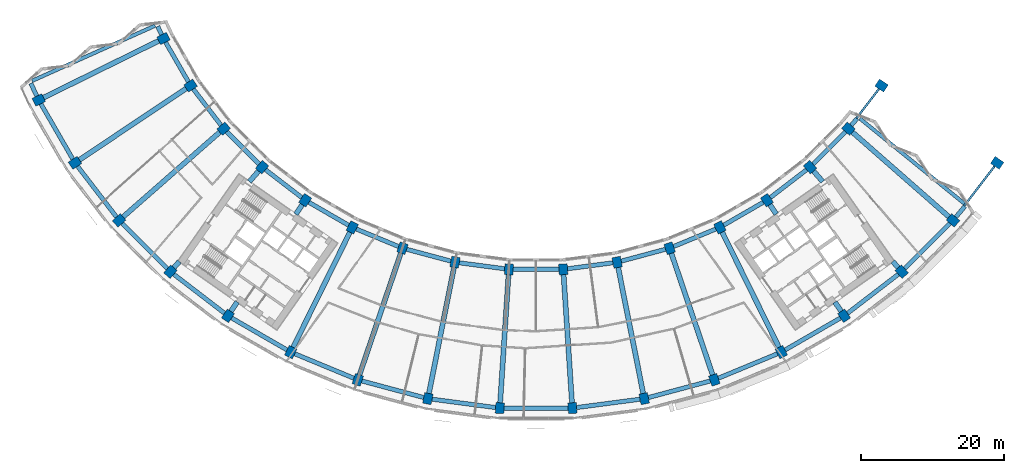
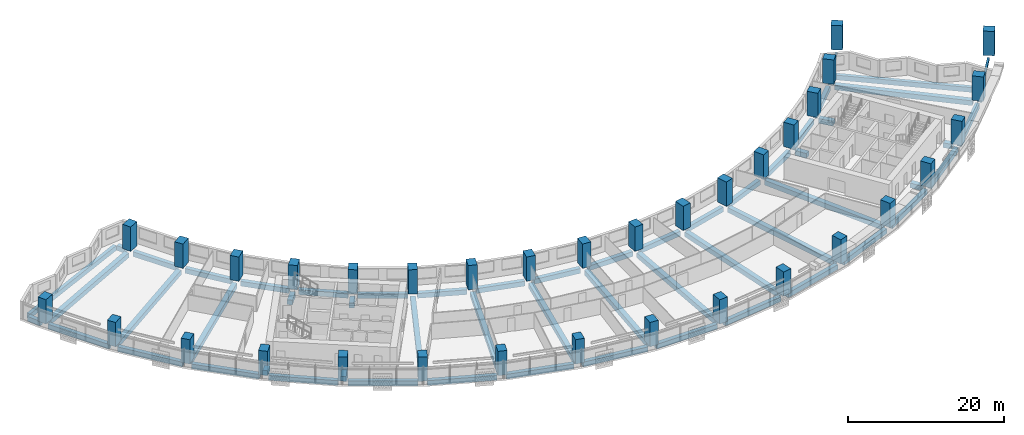
# One storey, part 1 of 29: 56 beams, 34 columns, 2 members.
"""IFC4 building model written with IfcOpenShell, lengths in metres."""

from ifc_helpers import new_model, si_unit, direction, frame, origin, origin_2d, place, context, subcontext, project, spatial, rectangle, hollow_rectangle, extrude, material, material_profile, profile_set, type_object, element, save


model = new_model("IFC4")

# Units and contexts
model_context = context("Model", 3, precision=1e-05, world=origin(), true_north=direction((0.0, 1.0)))
body_context = subcontext(model_context, "Body", "Model", "MODEL_VIEW")
ifc_project = project(units=[si_unit("LENGTHUNIT", "METRE"), si_unit("AREAUNIT", "SQUARE_METRE"), si_unit("VOLUMEUNIT", "CUBIC_METRE"), si_unit("PLANEANGLEUNIT", "RADIAN"), si_unit("MASSUNIT", "GRAM", prefix="KILO")], contexts=[model_context])

# Site, building, storey
site_placement = place(None, origin())
site = spatial("IfcSite", under=ifc_project, at=site_placement, CompositionType="ELEMENT")
building_placement = place(site_placement, origin())
building = spatial("IfcBuilding", under=site, at=building_placement, Name="Qamariyya Broadcast Tower", CompositionType="ELEMENT")
storey_placement = place(building_placement, frame((0.0, 0.0, 121.5)))
storey = spatial("IfcBuildingStorey", under=building, at=storey_placement, Name="L27", CompositionType="ELEMENT", Elevation=121.5)

# Columns
ifc_material_1 = material(Name="Concrete C70/85", Category="concrete")
ifc_material_profile_1 = material_profile(ifc_material_1, rectangle(XDim=1.199951171875, YDim=1.5, at=origin_2d()))
ifc_profile_set_1 = profile_set([ifc_material_profile_1], Name="Concrete C70/85")
column_type = type_object("IfcColumnType", Name="RC column 1200 x 1500 C70/85", PredefinedType="COLUMN", material=ifc_profile_set_1)
for number, where, z_axis, x_axis, name in (
    (1, (-52.242919921875, -25.763427734375, 0.0), (0.0, 0.0, 1.0), (0.442288690219, -0.896872741533, 0.0), "Column C7 L27 B-R02"),
    (2, (-69.73193359375, -34.387939453125, 0.0), (0.0, 0.0, 1.0), (0.442288690219, -0.896872741533, 0.0), "Column C7 L27 C-R02"),
    (3, (-48.43310546875, -32.362060546875, 0.0), (0.0, 0.0, 1.0), (0.55557023302, -0.831469612303, 0.0), "Column C7 L27 B-R03"),
    (4, (-64.646728515625, -43.195556640625, 0.0), (0.0, 0.0, 1.0), (0.55557023302, -0.831469612303, 0.0), "Column C7 L27 C-R03"),
    (5, (-43.794677734375, -38.406982421875, 0.0), (0.0, 0.0, 1.0), (0.6593458151, -0.751839807479, 0.0), "Column C7 L27 B-R04"),
    (6, (-58.45556640625, -51.26416015625, 0.0), (0.0, 0.0, 1.0), (0.6593458151, -0.751839807479, 0.0), "Column C7 L27 C-R04"),
    (7, (-38.406982421875, -43.794677734375, 0.0), (0.0, 0.0, 1.0), (0.751839807479, -0.6593458151, 0.0), "Column C7 L27 B-R05"),
    (8, (-51.26416015625, -58.45556640625, 0.0), (0.0, 0.0, 1.0), (0.751839807479, -0.6593458151, 0.0), "Column C7 L27 C-R05"),
    (9, (-32.362060546875, -48.43310546875, 0.0), (0.0, 0.0, 1.0), (0.831469612303, -0.55557023302, 0.0), "Column C7 L27 B-R06"),
    (10, (-43.195556640625, -64.646728515625, 0.0), (0.0, 0.0, 1.0), (0.831469612303, -0.55557023302, 0.0), "Column C7 L27 C-R06"),
    (11, (-25.763427734375, -52.242919921875, 0.0), (0.0, 0.0, 1.0), (0.896872741533, -0.442288690219, 0.0), "Column C7 L27 B-R07"),
    (12, (-34.387939453125, -69.73193359375, 0.0), (0.0, 0.0, 1.0), (0.896872741533, -0.442288690219, 0.0), "Column C7 L27 C-R07"),
    (13, (-18.723876953125, -55.15869140625, 0.0), (0.0, 0.0, 1.0), (0.946930129495, -0.321439465303, 0.0), "Column C7 L27 B-R08"),
    (14, (-24.991943359375, -73.623779296875, 0.0), (0.0, 0.0, 1.0), (0.946930129495, -0.321439465303, 0.0), "Column C7 L27 C-R08"),
    (15, (-11.364013671875, -57.130859375, 0.0), (0.0, 0.0, 1.0), (0.980785280403, -0.195090322016, 0.0), "Column C7 L27 B-R09"),
    (16, (-15.168212890625, -76.256103515625, 0.0), (0.0, 0.0, 1.0), (0.980785280403, -0.195090322016, 0.0), "Column C7 L27 C-R09"),
    (17, (-3.809814453125, -58.125244140625, 0.0), (0.0, 0.0, 1.0), (0.997858923239, -0.06540312923, 0.0), "Column C7 L27 B-R10"),
    (18, (-5.085205078125, -77.58349609375, 0.0), (0.0, 0.0, 1.0), (0.997858923239, -0.06540312923, 0.0), "Column C7 L27 C-R10"),
    (19, (3.809814453125, -58.125244140625, 0.0), (0.0, 0.0, 1.0), (0.997858923239, 0.06540312923, 0.0), "Column C7 L27 B-R11"),
    (20, (5.085205078125, -77.58349609375, 0.0), (0.0, 0.0, 1.0), (0.997858923239, 0.06540312923, 0.0), "Column C7 L27 C-R11"),
    (21, (11.364013671875, -57.130859375, 0.0), (0.0, 0.0, 1.0), (0.980785280403, 0.195090322016, 0.0), "Column C7 L27 B-R12"),
    (22, (15.168212890625, -76.256103515625, 0.0), (0.0, 0.0, 1.0), (0.980785280403, 0.195090322016, 0.0), "Column C7 L27 C-R12"),
    (23, (18.723876953125, -55.15869140625, 0.0), (0.0, 0.0, 1.0), (0.946930129495, 0.321439465303, 0.0), "Column C7 L27 B-R13"),
    (24, (24.991943359375, -73.623779296875, 0.0), (0.0, 0.0, 1.0), (0.946930129495, 0.321439465303, 0.0), "Column C7 L27 C-R13"),
    (25, (25.763427734375, -52.242919921875, 0.0), (0.0, 0.0, 1.0), (0.896872741533, 0.442288690219, 0.0), "Column C7 L27 B-R14"),
    (26, (34.387939453125, -69.73193359375, 0.0), (0.0, 0.0, 1.0), (0.896872741533, 0.442288690219, 0.0), "Column C7 L27 C-R14"),
    (27, (32.362060546875, -48.43310546875, 0.0), (0.0, 0.0, 1.0), (0.831469612303, 0.55557023302, 0.0), "Column C7 L27 B-R15"),
    (28, (43.195556640625, -64.646728515625, 0.0), (0.0, 0.0, 1.0), (0.831469612303, 0.55557023302, 0.0), "Column C7 L27 C-R15"),
    (29, (38.406982421875, -43.794677734375, 0.0), (0.0, 0.0, 1.0), (0.751839807479, 0.6593458151, 0.0), "Column C7 L27 B-R16"),
    (30, (51.26416015625, -58.45556640625, 0.0), (0.0, 0.0, 1.0), (0.751839807479, 0.6593458151, 0.0), "Column C7 L27 C-R16"),
    (31, (43.794677734375, -38.406982421875, 0.0), (0.0, 0.0, 1.0), (0.6593458151, 0.751839807479, 0.0), "Column C7 L27 B-R17"),
    (32, (58.45556640625, -51.26416015625, 0.0), (0.0, 0.0, 1.0), (0.6593458151, 0.751839807479, 0.0), "Column C7 L27 C-R17"),
    (33, (48.43310546875, -32.362060546875, 0.0), (0.0, 0.0, 1.0), (0.55557023302, 0.831469612303, 0.0), "Column C7 L27 B-R18"),
    (34, (64.646728515625, -43.195556640625, 0.0), (0.0, 0.0, 1.0), (0.55557023302, 0.831469612303, 0.0), "Column C7 L27 C-R18"),
):
    element("IfcColumn", number, at=place(storey_placement, frame(where, z_axis=z_axis, x_axis=x_axis)), inside=storey, type_object=column_type, Name=name, PredefinedType="COLUMN", context=body_context, shape_type="SweptSolid", body=[
        extrude(rectangle(XDim=1.199951171875, YDim=1.5, at=origin_2d()), origin(), (0.0, 0.0, 1.0), 3.800048828125),
    ])

# Members
ifc_material_2 = material(Name="Steel S355", Category="steel")
ifc_material_profile_2 = material_profile(ifc_material_2, hollow_rectangle(XDim=0.300048828125, YDim=0.300048828125, WallThickness=0.012451171875, InnerFilletRadius=0.012451171875, OuterFilletRadius=0.02490234375, at=origin_2d()))
ifc_profile_set_2 = profile_set([ifc_material_profile_2], Name="Steel S355")
member_type = type_object("IfcMemberType", Name="Pylon tie RHS 300x300x12.5", PredefinedType="STRUT", material=ifc_profile_set_2)
member_1_placement = place(storey_placement, frame((44.16064453125, -37.929931640625, -0.449951171875), z_axis=(0.608778135192, 0.793340520906, 0.0), x_axis=(-0.793340520906, 0.608778135192, 0.0)))
element("IfcMember", 35, at=member_1_placement, inside=storey, type_object=member_type, Name="Pylon tie T1 L27 B-R18", PredefinedType="STRUT", context=body_context, shape_type="SweptSolid", body=[
    extrude(hollow_rectangle(XDim=0.300048828125, YDim=0.300048828125, WallThickness=0.012451171875, InnerFilletRadius=0.012451171875, OuterFilletRadius=0.02490234375, at=origin_2d()), origin(), (0.0, 0.0, 1.0), 6.4169921875),
])
member_2_placement = place(storey_placement, frame((58.821533203125, -50.787109375, -0.449951171875), z_axis=(0.608766985019, 0.793349076984, 0.0), x_axis=(-0.793349076984, 0.608766985019, 0.0)))
element("IfcMember", 36, at=member_2_placement, inside=storey, type_object=member_type, Name="Pylon tie T1 L27 C-R18", PredefinedType="STRUT", context=body_context, shape_type="SweptSolid", body=[
    extrude(hollow_rectangle(XDim=0.300048828125, YDim=0.300048828125, WallThickness=0.012451171875, InnerFilletRadius=0.012451171875, OuterFilletRadius=0.02490234375, at=origin_2d()), origin(), (0.0, 0.0, 1.0), 8.9677734375),
])

# Beams
ifc_material_3 = material(Name="Concrete C50/60", Category="concrete")
ifc_material_profile_3 = material_profile(ifc_material_3, rectangle(XDim=0.60009765625, YDim=0.75, at=origin_2d()))
ifc_profile_set_3 = profile_set([ifc_material_profile_3], Name="Concrete C50/60")
beam_type_1 = type_object("IfcBeamType", Name="RC edge beam 600 x 750 C50/60", PredefinedType="SPANDREL", material=ifc_profile_set_3)
for number, where, z_axis, x_axis, name in (
    (37, (-51.942138671875, -26.283935546875, -0.675048828125), (0.49999360328, -0.866029096901, 0.0), (0.866029096901, 0.49999360328, 0.0), "Edge beam B15 L27 B R02-R03"),
    (38, (-48.067138671875, -32.839111328125, -0.675048828125), (0.608778135192, -0.793340520906, 0.0), (0.793340520906, 0.608778135192, 0.0), "Edge beam B15 L27 B R03-R04"),
):
    element("IfcBeam", number, at=place(storey_placement, frame(where, z_axis=z_axis, x_axis=x_axis)), inside=storey, type_object=beam_type_1, Name=name, PredefinedType="SPANDREL", context=body_context, shape_type="SweptSolid", body=[
        extrude(rectangle(XDim=0.60009765625, YDim=0.75, at=origin_2d()), origin(), (0.0, 0.0, 1.0), 6.4169921875),
    ])
beam_1_placement = place(storey_placement, frame((-43.369384765625, -38.83203125, -0.675048828125), z_axis=(0.707106781187, -0.707106781187, 0.0), x_axis=(0.707106781187, 0.707106781187, 0.0)))
element("IfcBeam", 39, at=beam_1_placement, inside=storey, type_object=beam_type_1, Name="Edge beam B15 L27 B R04-R05", PredefinedType="SPANDREL", context=body_context, shape_type="SweptSolid", body=[
    extrude(rectangle(XDim=0.60009765625, YDim=0.75, at=origin_2d()), origin(), (0.0, 0.0, 1.0), 6.416748046875),
])
for number, where, z_axis, x_axis, name in (
    (40, (-37.929931640625, -44.16064453125, -0.675048828125), (0.793340520906, -0.608778135192, 0.0), (0.608778135192, 0.793340520906, 0.0), "Edge beam B15 L27 B R05-R06"),
    (41, (-31.84130859375, -48.733642578125, -0.675048828125), (0.866029096901, -0.49999360328, 0.0), (0.49999360328, 0.866029096901, 0.0), "Edge beam B15 L27 B R06-R07"),
    (42, (-25.207763671875, -52.472900390625, -0.675048828125), (0.923884212686, -0.382672133229, 0.0), (0.382672133229, 0.923884212686, 0.0), "Edge beam B15 L27 B R07-R08"),
    (43, (-18.14306640625, -55.314208984375, -0.675048828125), (0.965922916603, -0.258829903956, 0.0), (0.258829903956, 0.965922916603, 0.0), "Edge beam B15 L27 B R08-R09"),
    (44, (-10.767822265625, -57.209228515625, -0.675048828125), (0.991443543958, -0.1305361986, 0.0), (0.1305361986, 0.991443543958, 0.0), "Edge beam B15 L27 B R09-R10"),
    (45, (-3.20849609375, -58.125244140625, -0.675048828125), (1.0, 0.0, 0.0), (0.0, 1.0, 0.0), "Edge beam B15 L27 B R10-R11"),
    (46, (4.40576171875, -58.046875, -0.675048828125), (0.991443543958, 0.1305361986, 0.0), (-0.1305361986, 0.991443543958, 0.0), "Edge beam B15 L27 B R11-R12"),
    (47, (11.94482421875, -56.97509765625, -0.675048828125), (0.965922916603, 0.258829903956, 0.0), (-0.258829903956, 0.965922916603, 0.0), "Edge beam B15 L27 B R12-R13"),
    (48, (19.279296875, -54.928466796875, -0.675048828125), (0.923884212686, 0.382672133229, 0.0), (-0.382672133229, 0.923884212686, 0.0), "Edge beam B15 L27 B R13-R14"),
    (49, (26.283935546875, -51.942138671875, -0.675048828125), (0.866029096901, 0.49999360328, 0.0), (-0.49999360328, 0.866029096901, 0.0), "Edge beam B15 L27 B R14-R15"),
    (50, (32.839111328125, -48.067138671875, -0.675048828125), (0.793340520906, 0.608778135192, 0.0), (-0.608778135192, 0.793340520906, 0.0), "Edge beam B15 L27 B R15-R16"),
):
    element("IfcBeam", number, at=place(storey_placement, frame(where, z_axis=z_axis, x_axis=x_axis)), inside=storey, type_object=beam_type_1, Name=name, PredefinedType="SPANDREL", context=body_context, shape_type="SweptSolid", body=[
        extrude(rectangle(XDim=0.60009765625, YDim=0.75, at=origin_2d()), origin(), (0.0, 0.0, 1.0), 6.4169921875),
    ])
beam_2_placement = place(storey_placement, frame((38.83203125, -43.369384765625, -0.675048828125), z_axis=(0.707106781187, 0.707106781187, 0.0), x_axis=(-0.707106781187, 0.707106781187, 0.0)))
element("IfcBeam", 51, at=beam_2_placement, inside=storey, type_object=beam_type_1, Name="Edge beam B15 L27 B R16-R17", PredefinedType="SPANDREL", context=body_context, shape_type="SweptSolid", body=[
    extrude(rectangle(XDim=0.60009765625, YDim=0.75, at=origin_2d()), origin(), (0.0, 0.0, 1.0), 6.416748046875),
])
beam_3_placement = place(storey_placement, frame((-69.43115234375, -34.90869140625, -0.675048828125), z_axis=(0.499989544228, -0.866031440343, 0.0), x_axis=(0.866031440343, 0.499989544228, 0.0)))
element("IfcBeam", 52, at=beam_3_placement, inside=storey, type_object=beam_type_1, Name="Edge beam B15 L27 C R02-R03", PredefinedType="SPANDREL", context=body_context, shape_type="SweptSolid", body=[
    extrude(rectangle(XDim=0.60009765625, YDim=0.75, at=origin_2d()), origin(), (0.0, 0.0, 1.0), 8.967529296875),
])
beam_4_placement = place(storey_placement, frame((-64.28076171875, -43.672607421875, -0.675048828125), z_axis=(0.608766985019, -0.793349076984, 0.0), x_axis=(0.793349076984, 0.608766985019, 0.0)))
element("IfcBeam", 53, at=beam_4_placement, inside=storey, type_object=beam_type_1, Name="Edge beam B15 L27 C R03-R04", PredefinedType="SPANDREL", context=body_context, shape_type="SweptSolid", body=[
    extrude(rectangle(XDim=0.60009765625, YDim=0.75, at=origin_2d()), origin(), (0.0, 0.0, 1.0), 8.9677734375),
])
beam_5_placement = place(storey_placement, frame((-58.0302734375, -51.689208984375, -0.675048828125), z_axis=(0.707106781187, -0.707106781187, 0.0), x_axis=(0.707106781187, 0.707106781187, 0.0)))
element("IfcBeam", 54, at=beam_5_placement, inside=storey, type_object=beam_type_1, Name="Edge beam B15 L27 C R04-R05", PredefinedType="SPANDREL", context=body_context, shape_type="SweptSolid", body=[
    extrude(rectangle(XDim=0.60009765625, YDim=0.75, at=origin_2d()), origin(), (0.0, 0.0, 1.0), 8.967529296875),
])
beam_6_placement = place(storey_placement, frame((-50.787109375, -58.821533203125, -0.675048828125), z_axis=(0.793349076984, -0.608766985019, 0.0), x_axis=(0.608766985019, 0.793349076984, 0.0)))
element("IfcBeam", 55, at=beam_6_placement, inside=storey, type_object=beam_type_1, Name="Edge beam B15 L27 C R05-R06", PredefinedType="SPANDREL", context=body_context, shape_type="SweptSolid", body=[
    extrude(rectangle(XDim=0.60009765625, YDim=0.75, at=origin_2d()), origin(), (0.0, 0.0, 1.0), 8.9677734375),
])
beam_7_placement = place(storey_placement, frame((-42.6748046875, -64.947509765625, -0.675048828125), z_axis=(0.866031440343, -0.499989544228, 0.0), x_axis=(0.499989544228, 0.866031440343, 0.0)))
element("IfcBeam", 56, at=beam_7_placement, inside=storey, type_object=beam_type_1, Name="Edge beam B15 L27 C R06-R07", PredefinedType="SPANDREL", context=body_context, shape_type="SweptSolid", body=[
    extrude(rectangle(XDim=0.60009765625, YDim=0.75, at=origin_2d()), origin(), (0.0, 0.0, 1.0), 8.967529296875),
])
beam_8_placement = place(storey_placement, frame((-33.83251953125, -69.9619140625, -0.675048828125), z_axis=(0.923877140182, -0.382689207907, 0.0), x_axis=(0.382689207907, 0.923877140182, 0.0)))
element("IfcBeam", 57, at=beam_8_placement, inside=storey, type_object=beam_type_1, Name="Edge beam B15 L27 C R07-R08", PredefinedType="SPANDREL", context=body_context, shape_type="SweptSolid", body=[
    extrude(rectangle(XDim=0.60009765625, YDim=0.75, at=origin_2d()), origin(), (0.0, 0.0, 1.0), 8.9677734375),
])
for number, where, z_axis, x_axis, name in (
    (58, (-24.4111328125, -73.779541015625, -0.675048828125), (0.965931525183, -0.258797775603, 0.0), (0.258797775603, 0.965931525183, 0.0), "Edge beam B15 L27 C R08-R09"),
    (59, (-14.572021484375, -76.33447265625, -0.675048828125), (0.991442708618, -0.130542542983, 0.0), (0.130542542983, 0.991442708618, 0.0), "Edge beam B15 L27 C R09-R10"),
):
    element("IfcBeam", number, at=place(storey_placement, frame(where, z_axis=z_axis, x_axis=x_axis)), inside=storey, type_object=beam_type_1, Name=name, PredefinedType="SPANDREL", context=body_context, shape_type="SweptSolid", body=[
        extrude(rectangle(XDim=0.60009765625, YDim=0.75, at=origin_2d()), origin(), (0.0, 0.0, 1.0), 8.967529296875),
    ])
beam_9_placement = place(storey_placement, frame((-4.48388671875, -77.58349609375, -0.675048828125), z_axis=(1.0, 0.0, 0.0), x_axis=(0.0, 1.0, 0.0)))
element("IfcBeam", 60, at=beam_9_placement, inside=storey, type_object=beam_type_1, Name="Edge beam B15 L27 C R10-R11", PredefinedType="SPANDREL", context=body_context, shape_type="SweptSolid", body=[
    extrude(rectangle(XDim=0.60009765625, YDim=0.75, at=origin_2d()), origin(), (0.0, 0.0, 1.0), 8.9677734375),
])
for number, where, z_axis, x_axis, name in (
    (61, (5.68115234375, -77.505126953125, -0.675048828125), (0.991442708618, 0.130542542983, 0.0), (-0.130542542983, 0.991442708618, 0.0), "Edge beam B15 L27 C R11-R12"),
    (62, (15.7490234375, -76.100341796875, -0.675048828125), (0.965931525183, 0.258797775603, 0.0), (-0.258797775603, 0.965931525183, 0.0), "Edge beam B15 L27 C R12-R13"),
):
    element("IfcBeam", number, at=place(storey_placement, frame(where, z_axis=z_axis, x_axis=x_axis)), inside=storey, type_object=beam_type_1, Name=name, PredefinedType="SPANDREL", context=body_context, shape_type="SweptSolid", body=[
        extrude(rectangle(XDim=0.60009765625, YDim=0.75, at=origin_2d()), origin(), (0.0, 0.0, 1.0), 8.967529296875),
    ])
beam_10_placement = place(storey_placement, frame((25.54736328125, -73.393798828125, -0.675048828125), z_axis=(0.923877140182, 0.382689207907, 0.0), x_axis=(-0.382689207907, 0.923877140182, 0.0)))
element("IfcBeam", 63, at=beam_10_placement, inside=storey, type_object=beam_type_1, Name="Edge beam B15 L27 C R13-R14", PredefinedType="SPANDREL", context=body_context, shape_type="SweptSolid", body=[
    extrude(rectangle(XDim=0.60009765625, YDim=0.75, at=origin_2d()), origin(), (0.0, 0.0, 1.0), 8.9677734375),
])
beam_11_placement = place(storey_placement, frame((34.90869140625, -69.43115234375, -0.675048828125), z_axis=(0.866031440343, 0.499989544228, 0.0), x_axis=(-0.499989544228, 0.866031440343, 0.0)))
element("IfcBeam", 64, at=beam_11_placement, inside=storey, type_object=beam_type_1, Name="Edge beam B15 L27 C R14-R15", PredefinedType="SPANDREL", context=body_context, shape_type="SweptSolid", body=[
    extrude(rectangle(XDim=0.60009765625, YDim=0.75, at=origin_2d()), origin(), (0.0, 0.0, 1.0), 8.967529296875),
])
beam_12_placement = place(storey_placement, frame((43.672607421875, -64.28076171875, -0.675048828125), z_axis=(0.793349076984, 0.608766985019, 0.0), x_axis=(-0.608766985019, 0.793349076984, 0.0)))
element("IfcBeam", 65, at=beam_12_placement, inside=storey, type_object=beam_type_1, Name="Edge beam B15 L27 C R15-R16", PredefinedType="SPANDREL", context=body_context, shape_type="SweptSolid", body=[
    extrude(rectangle(XDim=0.60009765625, YDim=0.75, at=origin_2d()), origin(), (0.0, 0.0, 1.0), 8.9677734375),
])
beam_13_placement = place(storey_placement, frame((51.689208984375, -58.0302734375, -0.675048828125), z_axis=(0.707106781187, 0.707106781187, 0.0), x_axis=(-0.707106781187, 0.707106781187, 0.0)))
element("IfcBeam", 66, at=beam_13_placement, inside=storey, type_object=beam_type_1, Name="Edge beam B15 L27 C R16-R17", PredefinedType="SPANDREL", context=body_context, shape_type="SweptSolid", body=[
    extrude(rectangle(XDim=0.60009765625, YDim=0.75, at=origin_2d()), origin(), (0.0, 0.0, 1.0), 8.967529296875),
])
ifc_material_profile_4 = material_profile(ifc_material_3, rectangle(XDim=0.60009765625, YDim=0.75, at=origin_2d()))
ifc_profile_set_4 = profile_set([ifc_material_profile_4], Name="Concrete C50/60")
beam_type_2 = type_object("IfcBeamType", Name="RC horn beam 600 x 750 C50/60", PredefinedType="BEAM", material=ifc_profile_set_4)
beam_14_placement = place(storey_placement, frame((-52.49853515625, -25.220458984375, -0.675048828125), z_axis=(-0.425852614071, 0.904792545885, 0.0), x_axis=(-0.904792545885, -0.425852614071, 0.0)))
element("IfcBeam", 67, at=beam_14_placement, inside=storey, type_object=beam_type_2, Name="Horn beam B14 L27 W B-R02", PredefinedType="BEAM", context=body_context, shape_type="SweptSolid", body=[
    extrude(rectangle(XDim=0.60009765625, YDim=0.75, at=origin_2d()), origin(), (0.0, 0.0, 1.0), 1.269287109375),
])
beam_15_placement = place(storey_placement, frame((-69.987548828125, -33.844970703125, -0.675048828125), z_axis=(-0.425814862963, 0.904810312983, 0.0), x_axis=(-0.904810312983, -0.425814862963, 0.0)))
element("IfcBeam", 68, at=beam_15_placement, inside=storey, type_object=beam_type_2, Name="Horn beam B14 L27 W C-R02", PredefinedType="BEAM", context=body_context, shape_type="SweptSolid", body=[
    extrude(rectangle(XDim=0.60009765625, YDim=0.75, at=origin_2d()), origin(), (0.0, 0.0, 1.0), 1.978515625),
])
beam_16_placement = place(storey_placement, frame((44.18212890625, -37.948486328125, -0.675048828125), z_axis=(0.645579990195, 0.763692658246, 0.0), x_axis=(-0.763692658246, 0.645579990195, 0.0)))
element("IfcBeam", 69, at=beam_16_placement, inside=storey, type_object=beam_type_2, Name="Horn beam B14 L27 E B-R17", PredefinedType="BEAM", context=body_context, shape_type="SweptSolid", body=[
    extrude(rectangle(XDim=0.60009765625, YDim=0.75, at=origin_2d()), origin(), (0.0, 0.0, 1.0), 1.26904296875),
])
beam_17_placement = place(storey_placement, frame((58.843017578125, -50.805908203125, -0.675048828125), z_axis=(0.645532861869, 0.763732495215, 0.0), x_axis=(-0.763732495215, 0.645532861869, 0.0)))
element("IfcBeam", 70, at=beam_17_placement, inside=storey, type_object=beam_type_2, Name="Horn beam B14 L27 E C-R17", PredefinedType="BEAM", context=body_context, shape_type="SweptSolid", body=[
    extrude(rectangle(XDim=0.60009765625, YDim=0.75, at=origin_2d()), origin(), (0.0, 0.0, 1.0), 1.978759765625),
])
ifc_material_profile_5 = material_profile(ifc_material_3, rectangle(XDim=0.5, YDim=0.75, at=origin_2d()))
ifc_profile_set_5 = profile_set([ifc_material_profile_5], Name="Concrete C50/60")
beam_type_3 = type_object("IfcBeamType", Name="RC horn cap beam 500 x 750 C50/60", PredefinedType="BEAM", material=ifc_profile_set_5)
for number, where, z_axis, x_axis, name in (
    (71, (-53.419189453125, -23.96875, -0.675048828125), (-0.912368110536, -0.409370774331, 0.0), (0.409370774331, -0.912368110536, 0.0), "Horn cap beam B17 L27 W B-C"),
    (72, (45.3955078125, -36.977783203125, -0.675048828125), (0.775323537045, -0.631564258729, 0.0), (0.631564258729, 0.775323537045, 0.0), "Horn cap beam B17 L27 E B-C"),
):
    element("IfcBeam", number, at=place(storey_placement, frame(where, z_axis=z_axis, x_axis=x_axis)), inside=storey, type_object=beam_type_3, Name=name, PredefinedType="BEAM", context=body_context, shape_type="SweptSolid", body=[
        extrude(rectangle(XDim=0.5, YDim=0.75, at=origin_2d()), origin(), (0.0, 0.0, 1.0), 18.89990234375),
    ])
ifc_material_profile_6 = material_profile(ifc_material_3, rectangle(XDim=0.699951171875, YDim=0.75, at=origin_2d()))
ifc_profile_set_6 = profile_set([ifc_material_profile_6], Name="Concrete C50/60")
beam_type_4 = type_object("IfcBeamType", Name="RC radial beam 700 x 750 C50/60", PredefinedType="BEAM", material=ifc_profile_set_6)
beam_18_placement = place(storey_placement, frame((-52.91552734375, -26.094970703125, -0.675048828125), z_axis=(-0.896871386501, -0.442291437941, 0.0), x_axis=(0.442291437941, -0.896871386501, 0.0)))
element("IfcBeam", 73, at=beam_18_placement, inside=storey, type_object=beam_type_4, Name="Radial beam B13 L27 R02 B-C", PredefinedType="BEAM", context=body_context, shape_type="SweptSolid", body=[
    extrude(rectangle(XDim=0.699951171875, YDim=0.75, at=origin_2d()), origin(), (0.0, 0.0, 1.0), 17.999755859375),
])
beam_19_placement = place(storey_placement, frame((-49.056640625, -32.778564453125, -0.675048828125), z_axis=(-0.831471836778, -0.555566903843, 0.0), x_axis=(0.555566903843, -0.831471836778, 0.0)))
element("IfcBeam", 74, at=beam_19_placement, inside=storey, type_object=beam_type_4, Name="Radial beam B13 L27 R03 B-C", PredefinedType="BEAM", context=body_context, shape_type="SweptSolid", body=[
    extrude(rectangle(XDim=0.699951171875, YDim=0.75, at=origin_2d()), origin(), (0.0, 0.0, 1.0), 18.0),
])
beam_20_placement = place(storey_placement, frame((-44.358642578125, -38.9013671875, -0.675048828125), z_axis=(-0.751837671483, -0.659348250729, 0.0), x_axis=(0.659348250729, -0.751837671483, 0.0)))
element("IfcBeam", 75, at=beam_20_placement, inside=storey, type_object=beam_type_4, Name="Radial beam B13 L27 R04 B-C", PredefinedType="BEAM", context=body_context, shape_type="SweptSolid", body=[
    extrude(rectangle(XDim=0.699951171875, YDim=0.75, at=origin_2d()), origin(), (0.0, 0.0, 1.0), 17.999755859375),
])
beam_21_placement = place(storey_placement, frame((-38.9013671875, -44.358642578125, -0.675048828125), z_axis=(-0.659376140982, -0.751813211312, 0.0), x_axis=(0.751813211312, -0.659376140982, 0.0)))
element("IfcBeam", 76, at=beam_21_placement, inside=storey, type_object=beam_type_4, Name="Radial beam B13 L27 R05 B-C", PredefinedType="BEAM", context=body_context, shape_type="SweptSolid", body=[
    extrude(rectangle(XDim=0.699951171875, YDim=0.75, at=origin_2d()), origin(), (0.0, 0.0, 1.0), 1.96240234375),
])
beam_22_placement = place(storey_placement, frame((-50.011962890625, -57.027587890625, -0.675048828125), z_axis=(-0.659271387296, -0.751905072395, 0.0), x_axis=(0.751905072395, -0.659271387296, 0.0)))
element("IfcBeam", 77, at=beam_22_placement, inside=storey, type_object=beam_type_4, Name="Radial beam B13 L27 R05 B-C", PredefinedType="BEAM", context=body_context, shape_type="SweptSolid", body=[
    extrude(rectangle(XDim=0.699951171875, YDim=0.75, at=origin_2d()), origin(), (0.0, 0.0, 1.0), 1.149169921875),
])
beam_23_placement = place(storey_placement, frame((-32.778564453125, -49.056640625, -0.675048828125), z_axis=(-0.555537373717, -0.831491567248, 0.0), x_axis=(0.831491567248, -0.555537373717, 0.0)))
element("IfcBeam", 78, at=beam_23_placement, inside=storey, type_object=beam_type_4, Name="Radial beam B13 L27 R06 B-C", PredefinedType="BEAM", context=body_context, shape_type="SweptSolid", body=[
    extrude(rectangle(XDim=0.699951171875, YDim=0.75, at=origin_2d()), origin(), (0.0, 0.0, 1.0), 1.614501953125),
])
beam_24_placement = place(storey_placement, frame((-41.89990234375, -62.707763671875, -0.675048828125), z_axis=(-0.555554602959, -0.831480055762, 0.0), x_axis=(0.831480055762, -0.555554602959, 0.0)))
element("IfcBeam", 79, at=beam_24_placement, inside=storey, type_object=beam_type_4, Name="Radial beam B13 L27 R06 B-C", PredefinedType="BEAM", context=body_context, shape_type="SweptSolid", body=[
    extrude(rectangle(XDim=0.699951171875, YDim=0.75, at=origin_2d()), origin(), (0.0, 0.0, 1.0), 1.58203125),
])
beam_25_placement = place(storey_placement, frame((-26.094970703125, -52.91552734375, -0.675048828125), z_axis=(-0.442291437941, -0.896871386501, 0.0), x_axis=(0.896871386501, -0.442291437941, 0.0)))
element("IfcBeam", 80, at=beam_25_placement, inside=storey, type_object=beam_type_4, Name="Radial beam B13 L27 R07 B-C", PredefinedType="BEAM", context=body_context, shape_type="SweptSolid", body=[
    extrude(rectangle(XDim=0.699951171875, YDim=0.75, at=origin_2d()), origin(), (0.0, 0.0, 1.0), 17.999755859375),
])
beam_26_placement = place(storey_placement, frame((-18.96484375, -55.868896484375, -0.675048828125), z_axis=(-0.321439476461, -0.946930125707, 0.0), x_axis=(0.946930125707, -0.321439476461, 0.0)))
element("IfcBeam", 81, at=beam_26_placement, inside=storey, type_object=beam_type_4, Name="Radial beam B13 L27 R08 B-C", PredefinedType="BEAM", context=body_context, shape_type="SweptSolid", body=[
    extrude(rectangle(XDim=0.699951171875, YDim=0.75, at=origin_2d()), origin(), (0.0, 0.0, 1.0), 18.0),
])
beam_27_placement = place(storey_placement, frame((-11.51025390625, -57.8662109375, -0.675048828125), z_axis=(-0.195093569287, -0.980784634475, 0.0), x_axis=(0.980784634475, -0.195093569287, 0.0)))
element("IfcBeam", 82, at=beam_27_placement, inside=storey, type_object=beam_type_4, Name="Radial beam B13 L27 R09 B-C", PredefinedType="BEAM", context=body_context, shape_type="SweptSolid", body=[
    extrude(rectangle(XDim=0.699951171875, YDim=0.75, at=origin_2d()), origin(), (0.0, 0.0, 1.0), 18.000244140625),
])
for number, where, z_axis, x_axis, name in (
    (83, (-3.85888671875, -58.873779296875, -0.675048828125), (-0.065402689504, -0.99785895206, 0.0), (0.99785895206, -0.065402689504, 0.0), "Radial beam B13 L27 R10 B-C"),
    (84, (3.85888671875, -58.873779296875, -0.675048828125), (0.065402689504, -0.99785895206, 0.0), (0.99785895206, 0.065402689504, 0.0), "Radial beam B13 L27 R11 B-C"),
):
    element("IfcBeam", number, at=place(storey_placement, frame(where, z_axis=z_axis, x_axis=x_axis)), inside=storey, type_object=beam_type_4, Name=name, PredefinedType="BEAM", context=body_context, shape_type="SweptSolid", body=[
        extrude(rectangle(XDim=0.699951171875, YDim=0.75, at=origin_2d()), origin(), (0.0, 0.0, 1.0), 18.0),
    ])
beam_28_placement = place(storey_placement, frame((11.51025390625, -57.8662109375, -0.675048828125), z_axis=(0.195093569287, -0.980784634475, 0.0), x_axis=(0.980784634475, 0.195093569287, 0.0)))
element("IfcBeam", 85, at=beam_28_placement, inside=storey, type_object=beam_type_4, Name="Radial beam B13 L27 R12 B-C", PredefinedType="BEAM", context=body_context, shape_type="SweptSolid", body=[
    extrude(rectangle(XDim=0.699951171875, YDim=0.75, at=origin_2d()), origin(), (0.0, 0.0, 1.0), 18.000244140625),
])
beam_29_placement = place(storey_placement, frame((18.96484375, -55.868896484375, -0.675048828125), z_axis=(0.321439476461, -0.946930125707, 0.0), x_axis=(0.946930125707, 0.321439476461, 0.0)))
element("IfcBeam", 86, at=beam_29_placement, inside=storey, type_object=beam_type_4, Name="Radial beam B13 L27 R13 B-C", PredefinedType="BEAM", context=body_context, shape_type="SweptSolid", body=[
    extrude(rectangle(XDim=0.699951171875, YDim=0.75, at=origin_2d()), origin(), (0.0, 0.0, 1.0), 18.0),
])
beam_30_placement = place(storey_placement, frame((26.094970703125, -52.91552734375, -0.675048828125), z_axis=(0.442291437941, -0.896871386501, 0.0), x_axis=(0.896871386501, 0.442291437941, 0.0)))
element("IfcBeam", 87, at=beam_30_placement, inside=storey, type_object=beam_type_4, Name="Radial beam B13 L27 R14 B-C", PredefinedType="BEAM", context=body_context, shape_type="SweptSolid", body=[
    extrude(rectangle(XDim=0.699951171875, YDim=0.75, at=origin_2d()), origin(), (0.0, 0.0, 1.0), 17.999755859375),
])
beam_31_placement = place(storey_placement, frame((32.778564453125, -49.056640625, -0.675048828125), z_axis=(0.555537373717, -0.831491567248, 0.0), x_axis=(0.831491567248, 0.555537373717, 0.0)))
element("IfcBeam", 88, at=beam_31_placement, inside=storey, type_object=beam_type_4, Name="Radial beam B13 L27 R15 B-C", PredefinedType="BEAM", context=body_context, shape_type="SweptSolid", body=[
    extrude(rectangle(XDim=0.699951171875, YDim=0.75, at=origin_2d()), origin(), (0.0, 0.0, 1.0), 1.614501953125),
])
beam_32_placement = place(storey_placement, frame((41.89990234375, -62.707763671875, -0.675048828125), z_axis=(0.555554602959, -0.831480055762, 0.0), x_axis=(0.831480055762, 0.555554602959, 0.0)))
element("IfcBeam", 89, at=beam_32_placement, inside=storey, type_object=beam_type_4, Name="Radial beam B13 L27 R15 B-C", PredefinedType="BEAM", context=body_context, shape_type="SweptSolid", body=[
    extrude(rectangle(XDim=0.699951171875, YDim=0.75, at=origin_2d()), origin(), (0.0, 0.0, 1.0), 1.58203125),
])
beam_33_placement = place(storey_placement, frame((38.9013671875, -44.358642578125, -0.675048828125), z_axis=(0.659376140982, -0.751813211312, 0.0), x_axis=(0.751813211312, 0.659376140982, 0.0)))
element("IfcBeam", 90, at=beam_33_placement, inside=storey, type_object=beam_type_4, Name="Radial beam B13 L27 R16 B-C", PredefinedType="BEAM", context=body_context, shape_type="SweptSolid", body=[
    extrude(rectangle(XDim=0.699951171875, YDim=0.75, at=origin_2d()), origin(), (0.0, 0.0, 1.0), 1.96240234375),
])
beam_34_placement = place(storey_placement, frame((50.011962890625, -57.027587890625, -0.675048828125), z_axis=(0.659271387296, -0.751905072395, 0.0), x_axis=(0.751905072395, 0.659271387296, 0.0)))
element("IfcBeam", 91, at=beam_34_placement, inside=storey, type_object=beam_type_4, Name="Radial beam B13 L27 R16 B-C", PredefinedType="BEAM", context=body_context, shape_type="SweptSolid", body=[
    extrude(rectangle(XDim=0.699951171875, YDim=0.75, at=origin_2d()), origin(), (0.0, 0.0, 1.0), 1.149169921875),
])
beam_35_placement = place(storey_placement, frame((44.358642578125, -38.9013671875, -0.675048828125), z_axis=(0.751837671483, -0.659348250729, 0.0), x_axis=(0.659348250729, 0.751837671483, 0.0)))
element("IfcBeam", 92, at=beam_35_placement, inside=storey, type_object=beam_type_4, Name="Radial beam B13 L27 R17 B-C", PredefinedType="BEAM", context=body_context, shape_type="SweptSolid", body=[
    extrude(rectangle(XDim=0.699951171875, YDim=0.75, at=origin_2d()), origin(), (0.0, 0.0, 1.0), 17.999755859375),
])

save(model, "model.ifc")
